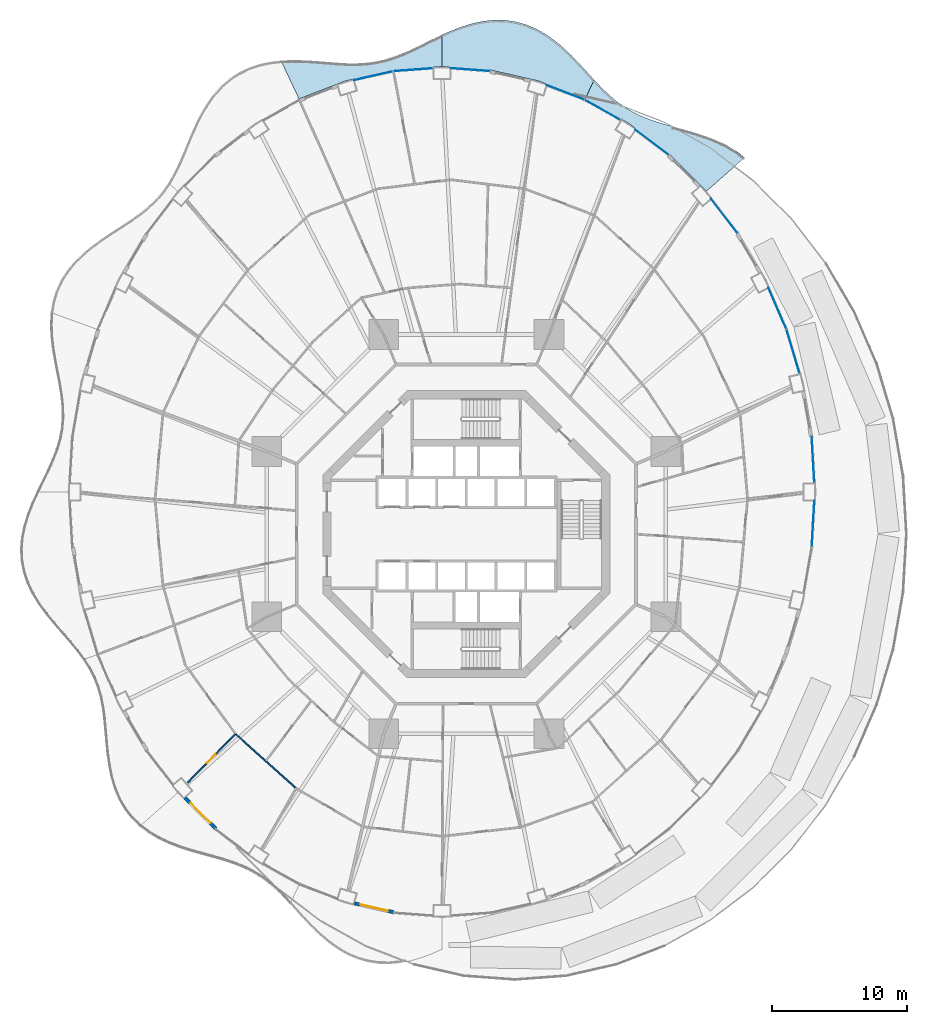
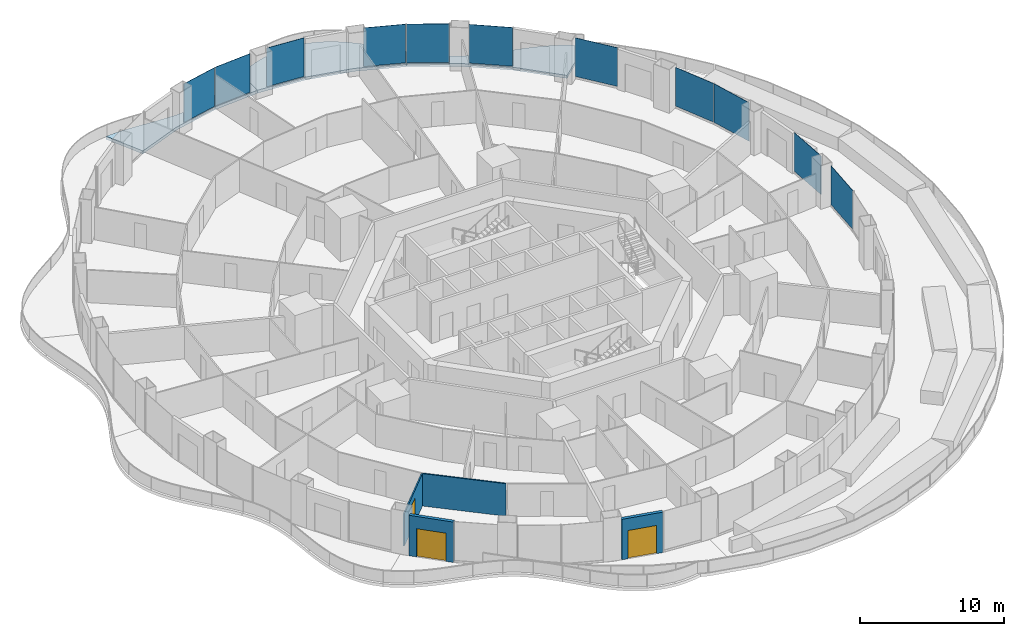
# One storey, part 13 of 22: 11 plates, 4 walls, 3 doors, 3 slabs, 3 openings, 11 elements without a shape of their own.
"""IFC4 building model written with IfcOpenShell, lengths in metres."""

from ifc_helpers import new_model, si_unit, direction, frame, frame_2d, origin, origin_2d, place, context, subcontext, project, spatial, polyline, rectangle, outline, extrude, material, layer, layer_set, type_object, element, fill, aggregate, save


model = new_model("IFC4")

# Units and contexts
model_context = context("Model", 3, precision=1e-05, world=origin(), true_north=direction((0.0, 1.0)))
body_context = subcontext(model_context, "Body", "Model", "MODEL_VIEW")
ifc_project = project(units=[si_unit("LENGTHUNIT", "METRE"), si_unit("AREAUNIT", "SQUARE_METRE"), si_unit("VOLUMEUNIT", "CUBIC_METRE"), si_unit("PLANEANGLEUNIT", "RADIAN"), si_unit("MASSUNIT", "GRAM", prefix="KILO")], contexts=[model_context])

# Site, building, storey
site_placement = place(None, origin())
site = spatial("IfcSite", under=ifc_project, at=site_placement, CompositionType="ELEMENT")
building_placement = place(site_placement, origin())
building = spatial("IfcBuilding", under=site, at=building_placement, Name="Nagisa Residences", CompositionType="ELEMENT")
storey_placement = place(building_placement, frame((0.0, 0.0, 73.300048828125)))
storey = spatial("IfcBuildingStorey", under=building, at=storey_placement, Name="L17", CompositionType="ELEMENT", Elevation=73.300048828125)

# Slabs
ifc_material_1 = material(Name="Concrete C40/50", Category="concrete")
ifc_layer_1 = layer(ifc_material_1, 0.25)
ifc_layer_set_1 = layer_set([ifc_layer_1], Name="BALCONY SLAB 250")
slab_type = type_object("IfcSlabType", Name="BALCONY SLAB 250", PredefinedType="FLOOR", material=ifc_layer_set_1)
slab_1_placement = place(storey_placement, frame((0.0, 0.0, -0.25)))
element("IfcSlab", 1, at=slab_1_placement, inside=storey, type_object=slab_type, Name="slab:L17:bal02", PredefinedType="FLOOR", context=body_context, shape_type="SweptSolid", body=[
    extrude(outline(polyline([(20.617431640625, 27.892822265625), (19.96923828125, 28.383544921875), (19.259033203125, 28.806396484375), (18.50048828125, 29.165771484375), (17.708251953125, 29.470703125), (16.89794921875, 29.732666015625), (16.084716796875, 29.965576171875), (15.282470703125, 30.185302734375), (14.503173828125, 30.407958984375), (13.755859375, 30.649169921875), (13.045654296875, 30.923095703125), (12.375, 31.241455078125), (11.742431640625, 31.61279296875), (11.143310546875, 32.041259765625), (10.570068359375, 32.526611328125), (10.013671875, 33.064208984375), (9.46337890625, 33.64453125), (8.79833984375, 32.233642578125), (12.047607421875, 30.410400390625), (15.0595703125, 28.1201171875), (17.783203125, 25.402099609375), (20.617431640625, 27.892822265625)])), origin(), (0.0, 0.0, 1.0), 0.25),
])
slab_2_placement = place(storey_placement, frame((0.0, 0.0, -0.25)))
element("IfcSlab", 2, at=slab_2_placement, inside=storey, type_object=slab_type, Name="slab:L17:bal03", PredefinedType="FLOOR", context=body_context, shape_type="SweptSolid", body=[
    extrude(outline(polyline([(9.46337890625, 33.64453125), (8.928466796875, 34.231689453125), (8.3798828125, 34.83154296875), (7.80908203125, 35.4267578125), (7.209716796875, 35.999267578125), (6.577392578125, 36.531005859375), (5.909912109375, 37.004638671875), (5.207763671875, 37.404541015625), (4.473388671875, 37.71875), (3.7119140625, 37.93798828125), (2.92919921875, 38.057861328125), (2.133056640625, 38.078369140625), (1.330810546875, 38.003662109375), (0.5302734375, 37.8427734375), (-0.26171875, 37.608154296875), (-1.03955078125, 37.3154296875), (-1.800048828125, 36.982666015625), (-1.800048828125, 34.6328125), (1.81494140625, 34.363037109375), (5.367919921875, 33.558837890625), (8.79833984375, 32.233642578125), (9.46337890625, 33.64453125)])), origin(), (0.0, 0.0, 1.0), 0.25),
])
slab_3_placement = place(storey_placement, frame((0.0, 0.0, -0.25)))
element("IfcSlab", 3, at=slab_3_placement, inside=storey, type_object=slab_type, Name="slab:L17:bal04", PredefinedType="FLOOR", context=body_context, shape_type="SweptSolid", body=[
    extrude(outline(polyline([(-1.800048828125, 36.982666015625), (-2.541015625, 36.62890625), (-3.26318359375, 36.272705078125), (-3.968994140625, 35.932861328125), (-4.662353515625, 35.62451171875), (-5.34912109375, 35.360595703125), (-6.035400390625, 35.150390625), (-6.72802734375, 34.99853515625), (-7.43310546875, 34.9052734375), (-8.156005859375, 34.86669921875), (-8.89990234375, 34.8740234375), (-9.66650390625, 34.91552734375), (-10.45556640625, 34.9765625), (-11.263427734375, 35.040283203125), (-12.0849609375, 35.08935546875), (-12.91259765625, 35.106201171875), (-13.7373046875, 35.074462890625), (-12.3984375, 32.233642578125), (-8.968017578125, 33.558837890625), (-5.4150390625, 34.363037109375), (-1.800048828125, 34.6328125), (-1.800048828125, 36.982666015625)])), origin(), (0.0, 0.0, 1.0), 0.25),
])

# Curtain wall, plate
ifc_material_2 = material(Name="Concrete-coloured aluminium curtain wall system", Category="concrete")
ifc_layer_2 = layer(ifc_material_2, 0.159912109375)
ifc_layer_set_2 = layer_set([ifc_layer_2], Name="CW1 CURTAIN WALL")
curtain_wall_type = type_object("IfcCurtainWallType", Name="CW1 CURTAIN WALL", PredefinedType="NOTDEFINED", material=ifc_layer_set_2)
curtain_wall_1_placement = place(storey_placement, origin())
curtain_wall_1 = element("IfcCurtainWall", 4, at=curtain_wall_1_placement, inside=storey, type_object=curtain_wall_type, Name="cw:CW1:L17:00", PredefinedType="NOTDEFINED")
ifc_material_3 = material(Name="Clear laminated glass", Category="glass")
ifc_layer_3 = layer(ifc_material_3, 0.028076171875)
ifc_layer_set_3 = layer_set([ifc_layer_3], Name="CW1 GLASS PANEL")
plate_type = type_object("IfcPlateType", Name="CW1 GLASS PANEL", PredefinedType="CURTAIN_PANEL", material=ifc_layer_set_3)
plate_1_placement = place(storey_placement, frame((25.67626953125, 5.524169921875, 0.14990234375), z_axis=(0.0, 0.0, 1.0), x_axis=(-0.057503492216, 0.998345305184, 0.0)))
plate_1 = element("IfcPlate", 5, at=plate_1_placement, type_object=plate_type, Name="CW1 panel", PredefinedType="CURTAIN_PANEL", context=body_context, shape_type="SweptSolid", body=[
    extrude(rectangle(XDim=3.410400390625, YDim=0.028076171875, at=origin_2d()), origin(), (0.0, 0.0, 1.0), 3.2900390625),
])
aggregate(curtain_wall_1, [plate_1])

curtain_wall_2_placement = place(storey_placement, origin())
curtain_wall_2 = element("IfcCurtainWall", 6, at=curtain_wall_2_placement, inside=storey, type_object=curtain_wall_type, Name="cw:CW1:L17:02", PredefinedType="NOTDEFINED")
plate_2_placement = place(storey_placement, frame((24.19091796875, 13.54345703125, 0.14990234375), z_axis=(0.0, 0.0, 1.0), x_axis=(-0.285860274038, 0.958271310082, 0.0)))
plate_2 = element("IfcPlate", 7, at=plate_2_placement, type_object=plate_type, Name="CW1 panel", PredefinedType="CURTAIN_PANEL", context=body_context, shape_type="SweptSolid", body=[
    extrude(rectangle(XDim=3.363525390625, YDim=0.028076171875, at=origin_2d()), origin(), (0.0, 0.0, 1.0), 3.2900390625),
])
aggregate(curtain_wall_2, [plate_2])

curtain_wall_3_placement = place(storey_placement, origin())
curtain_wall_3 = element("IfcCurtainWall", 8, at=curtain_wall_3_placement, inside=storey, type_object=curtain_wall_type, Name="cw:CW1:L17:03", PredefinedType="NOTDEFINED")
plate_3_placement = place(storey_placement, frame((23.029541015625, 16.72412109375, 0.14990234375), z_axis=(0.0, 0.0, 1.0), x_axis=(-0.397635934147, 0.917543276295, 0.0)))
plate_3 = element("IfcPlate", 9, at=plate_3_placement, type_object=plate_type, Name="CW1 panel", PredefinedType="CURTAIN_PANEL", context=body_context, shape_type="SweptSolid", body=[
    extrude(rectangle(XDim=3.319580078125, YDim=0.028076171875, at=origin_2d()), origin(), (0.0, 0.0, 1.0), 3.2900390625),
])
aggregate(curtain_wall_3, [plate_3])

curtain_wall_4_placement = place(storey_placement, origin())
curtain_wall_4 = element("IfcCurtainWall", 10, at=curtain_wall_4_placement, inside=storey, type_object=curtain_wall_type, Name="cw:CW1:L17:05", PredefinedType="NOTDEFINED")
plate_4_placement = place(storey_placement, frame((19.09423828125, 23.570068359375, 0.14990234375), z_axis=(0.0, 0.0, 1.0), x_axis=(-0.610429828235, 0.792070340816, 0.0)))
plate_4 = element("IfcPlate", 11, at=plate_4_placement, type_object=plate_type, Name="CW1 panel", PredefinedType="CURTAIN_PANEL", context=body_context, shape_type="SweptSolid", body=[
    extrude(rectangle(XDim=3.202880859375, YDim=0.028076171875, at=origin_2d()), origin(), (0.0, 0.0, 1.0), 3.2900390625),
])
aggregate(curtain_wall_4, [plate_4])

curtain_wall_5_placement = place(storey_placement, origin())
curtain_wall_5 = element("IfcCurtainWall", 12, at=curtain_wall_5_placement, inside=storey, type_object=curtain_wall_type, Name="cw:CW1:L17:07", PredefinedType="NOTDEFINED")
plate_5_placement = place(storey_placement, frame((13.739990234375, 29.023193359375, 0.14990234375), z_axis=(0.0, 0.0, 1.0), x_axis=(-0.79603132756, 0.605255421737, 0.0)))
plate_5 = element("IfcPlate", 13, at=plate_5_placement, type_object=plate_type, Name="CW1 panel", PredefinedType="CURTAIN_PANEL", context=body_context, shape_type="SweptSolid", body=[
    extrude(rectangle(XDim=3.073974609375, YDim=0.028076171875, at=origin_2d()), origin(), (0.0, 0.0, 1.0), 3.2900390625),
])
aggregate(curtain_wall_5, [plate_5])

curtain_wall_6_placement = place(storey_placement, origin())
curtain_wall_6 = element("IfcCurtainWall", 14, at=curtain_wall_6_placement, inside=storey, type_object=curtain_wall_type, Name="cw:CW1:L17:08", PredefinedType="NOTDEFINED")
plate_6_placement = place(storey_placement, frame((10.07421875, 31.426025390625, 0.14990234375), z_axis=(0.0, 0.0, 1.0), x_axis=(-0.872072377523, 0.489376918501, 0.0)))
plate_6 = element("IfcPlate", 15, at=plate_6_placement, type_object=plate_type, Name="CW1 panel", PredefinedType="CURTAIN_PANEL", context=body_context, shape_type="SweptSolid", body=[
    extrude(rectangle(XDim=3.015625, YDim=0.028076171875, at=origin_2d()), origin(), (0.0, 0.0, 1.0), 3.2900390625),
])
aggregate(curtain_wall_6, [plate_6])

curtain_wall_7_placement = place(storey_placement, origin())
curtain_wall_7 = element("IfcCurtainWall", 16, at=curtain_wall_7_placement, inside=storey, type_object=curtain_wall_type, Name="cw:CW1:L17:09", PredefinedType="NOTDEFINED")
plate_7_placement = place(storey_placement, frame((7.32958984375, 32.71533203125, 0.14990234375), z_axis=(0.0, 0.0, 1.0), x_axis=(-0.932825759707, 0.360327770268, 0.0)))
plate_7 = element("IfcPlate", 17, at=plate_7_placement, type_object=plate_type, Name="CW1 panel", PredefinedType="CURTAIN_PANEL", context=body_context, shape_type="SweptSolid", body=[
    extrude(rectangle(XDim=2.967529296875, YDim=0.028076171875, at=origin_2d()), origin(), (0.0, 0.0, 1.0), 3.2900390625),
])
aggregate(curtain_wall_7, [plate_7])

curtain_wall_8_placement = place(storey_placement, origin())
curtain_wall_8 = element("IfcCurtainWall", 18, at=curtain_wall_8_placement, inside=storey, type_object=curtain_wall_type, Name="cw:CW1:L17:11", PredefinedType="NOTDEFINED")
plate_8_placement = place(storey_placement, frame((0.295654296875, 34.396240234375, 0.14990234375), z_axis=(0.0, 0.0, 1.0), x_axis=(-0.997230168512, 0.074377355493, 0.0)))
plate_8 = element("IfcPlate", 19, at=plate_8_placement, type_object=plate_type, Name="CW1 panel", PredefinedType="CURTAIN_PANEL", context=body_context, shape_type="SweptSolid", body=[
    extrude(rectangle(XDim=2.9150390625, YDim=0.028076171875, at=origin_2d()), origin(), (0.0, 0.0, 1.0), 3.2900390625),
])
aggregate(curtain_wall_8, [plate_8])

curtain_wall_9_placement = place(storey_placement, origin())
curtain_wall_9 = element("IfcCurtainWall", 20, at=curtain_wall_9_placement, inside=storey, type_object=curtain_wall_type, Name="cw:CW1:L17:12", PredefinedType="NOTDEFINED")
plate_9_placement = place(storey_placement, frame((-3.95556640625, 34.3916015625, 0.14990234375), z_axis=(0.0, 0.0, 1.0), x_axis=(-0.997230168512, -0.074377355493, 0.0)))
plate_9 = element("IfcPlate", 21, at=plate_9_placement, type_object=plate_type, Name="CW1 panel", PredefinedType="CURTAIN_PANEL", context=body_context, shape_type="SweptSolid", body=[
    extrude(rectangle(XDim=2.9150390625, YDim=0.028076171875, at=origin_2d()), origin(), (0.0, 0.0, 1.0), 3.2900390625),
])
aggregate(curtain_wall_9, [plate_9])

curtain_wall_10_placement = place(storey_placement, origin())
curtain_wall_10 = element("IfcCurtainWall", 22, at=curtain_wall_10_placement, inside=storey, type_object=curtain_wall_type, Name="cw:CW1:L17:13", PredefinedType="NOTDEFINED")
plate_10_placement = place(storey_placement, frame((-6.885986328125, 33.947998046875, 0.14990234375), z_axis=(0.0, 0.0, 1.0), x_axis=(-0.975327274089, -0.2207639201, 0.0)))
plate_10 = element("IfcPlate", 23, at=plate_10_placement, type_object=plate_type, Name="CW1 panel", PredefinedType="CURTAIN_PANEL", context=body_context, shape_type="SweptSolid", body=[
    extrude(rectangle(XDim=2.932861328125, YDim=0.028076171875, at=origin_2d()), origin(), (0.0, 0.0, 1.0), 3.2900390625),
])
aggregate(curtain_wall_10, [plate_10])

curtain_wall_11_placement = place(storey_placement, origin())
curtain_wall_11 = element("IfcCurtainWall", 24, at=curtain_wall_11_placement, inside=storey, type_object=curtain_wall_type, Name="cw:CW1:L17:47", PredefinedType="NOTDEFINED")
plate_11_placement = place(storey_placement, frame((25.6796875, 0.77099609375, 0.14990234375), z_axis=(0.0, 0.0, 1.0), x_axis=(0.057503492216, 0.998345305184, 0.0)))
plate_11 = element("IfcPlate", 25, at=plate_11_placement, type_object=plate_type, Name="CW1 panel", PredefinedType="CURTAIN_PANEL", context=body_context, shape_type="SweptSolid", body=[
    extrude(rectangle(XDim=3.410400390625, YDim=0.028076171875, at=origin_2d()), origin(), (0.0, 0.0, 1.0), 3.2900390625),
])
aggregate(curtain_wall_11, [plate_11])

# Wall, opening, door
ifc_material_4 = material(Name="Gypsum board on steel studs", Category="steel")
ifc_layer_4 = layer(ifc_material_4, 0.10009765625)
ifc_layer_set_4 = layer_set([ifc_layer_4], Name="Apartment partition 100")
wall_type_1 = type_object("IfcWallType", Name="Apartment partition 100", PredefinedType="PARTITIONING", material=ifc_layer_set_4)
wall_1_placement = place(storey_placement, frame((-17.135009765625, -14.8291015625, 0.0), z_axis=(0.0, 0.0, 1.0), x_axis=(-0.699702869429, -0.714433967917, 0.0)))
wall_1 = element("IfcWall", 26, at=wall_1_placement, inside=storey, type_object=wall_type_1, Name="wall:L17:u66", PredefinedType="PARTITIONING", context=body_context, shape_type="SweptSolid", body=[
    extrude(rectangle(XDim=5.021728515625, YDim=0.10009765625, at=frame_2d((2.5107421875, 0.0))), origin(), (0.0, 0.0, 1.0), 2.761962890625),
])
opening_1_placement = place(wall_1_placement, frame((2.060791015625, 0.0, 0.0)))
opening_1 = element("IfcOpeningElement", 27, at=opening_1_placement, cuts=wall_1, Name="Opening L17-U30", PredefinedType="OPENING", context=body_context, shape_type="SweptSolid", body=[
    extrude(rectangle(XDim=0.89990234375, YDim=2.10009765625, at=frame_2d((0.449951171875, 1.050048828125))), frame((0.0, 0.06005859375, 0.0), z_axis=(0.0, -1.0, 0.0), x_axis=(1.0, 0.0, 0.0)), (0.0, 0.0, 1.0), 0.1201171875),
])
ifc_material_5 = material(Name="Timber door set", Category="wood")
door_type_1 = type_object("IfcDoorType", Name="Apartment door 900x2100", OperationType="NOTDEFINED", PredefinedType="DOOR", material=ifc_material_5)
door_1_placement = place(opening_1_placement, origin())
door_1 = element("IfcDoor", 28, at=door_1_placement, inside=storey, type_object=door_type_1, Name="Door to master bedroom, Apartment 17B", OperationType="SINGLE_SWING_RIGHT", OverallHeight=2.10009765625, OverallWidth=0.89990234375, PredefinedType="DOOR", context=body_context, shape_type="SweptSolid", body=[
    extrude(rectangle(XDim=0.89990234375, YDim=2.10009765625, at=frame_2d((0.449951171875, 1.050048828125))), frame((0.0, 0.02490234375, 0.0), z_axis=(0.0, -1.0, 0.0), x_axis=(1.0, 0.0, 0.0)), (0.0, 0.0, 1.0), 0.050048828125),
])
fill(opening_1, door_1)

# Wall
wall_2_placement = place(storey_placement, frame((-17.062744140625, -14.826904296875, 0.0), z_axis=(0.0, 0.0, 1.0), x_axis=(0.743478142868, -0.668760234373, 0.0)))
element("IfcWall", 29, at=wall_2_placement, inside=storey, type_object=wall_type_1, Name="wall:L17:u67", PredefinedType="PARTITIONING", context=body_context, shape_type="SweptSolid", body=[
    extrude(rectangle(XDim=5.93701171875, YDim=0.10009765625, at=frame_2d((2.968505859375, 0.0))), origin(), (0.0, 0.0, 1.0), 2.761962890625),
])

# Wall, opening, door
ifc_material_6 = material(Name="Precast concrete C40/50", Category="concrete")
ifc_layer_5 = layer(ifc_material_6, 0.25)
ifc_layer_set_5 = layer_set([ifc_layer_5], Name="BALCONY DOOR WALL 250")
wall_type_2 = type_object("IfcWallType", Name="BALCONY DOOR WALL 250", PredefinedType="SOLIDWALL", material=ifc_layer_set_5)
wall_3_placement = place(storey_placement, frame((-18.5712890625, -21.79638671875, 0.0), z_axis=(0.0, 0.0, 1.0), x_axis=(-0.707831646613, 0.706381171927, 0.0)))
wall_3 = element("IfcWall", 30, at=wall_3_placement, inside=storey, type_object=wall_type_2, Name="wall:L17:bay30", PredefinedType="SOLIDWALL", context=body_context, shape_type="SweptSolid", body=[
    extrude(rectangle(XDim=3.197998046875, YDim=0.25, at=frame_2d((1.59912109375, 0.0))), origin(), (0.0, 0.0, 1.0), 3.43994140625),
])
opening_2_placement = place(wall_3_placement, frame((0.548828125, 0.0, 0.0)))
opening_2 = element("IfcOpeningElement", 31, at=opening_2_placement, cuts=wall_3, Name="Opening BD-L17-11", PredefinedType="OPENING", context=body_context, shape_type="SweptSolid", body=[
    extrude(rectangle(XDim=2.10009765625, YDim=2.39990234375, at=frame_2d((1.050048828125, 1.199951171875))), frame((0.0, 0.135009765625, 0.0), z_axis=(0.0, -1.0, 0.0), x_axis=(1.0, 0.0, 0.0)), (0.0, 0.0, 1.0), 0.27001953125),
])
ifc_material_7 = material(Name="Aluminium and clear glass", Category="aluminium")
door_type_2 = type_object("IfcDoorType", Name="BALCONY SLIDING DOOR 2100x2400", OperationType="SLIDING_TO_LEFT", PredefinedType="DOOR", material=ifc_material_7)
door_2_placement = place(opening_2_placement, origin())
door_2 = element("IfcDoor", 32, at=door_2_placement, inside=storey, type_object=door_type_2, Name="door:L17:bay30", OperationType="SLIDING_TO_LEFT", OverallHeight=2.39990234375, OverallWidth=2.10009765625, PredefinedType="DOOR", context=body_context, shape_type="SweptSolid", body=[
    extrude(rectangle(XDim=2.10009765625, YDim=2.39990234375, at=frame_2d((1.050048828125, 1.199951171875))), frame((0.0, 0.02490234375, 0.0), z_axis=(0.0, -1.0, 0.0), x_axis=(1.0, 0.0, 0.0)), (0.0, 0.0, 1.0), 0.050048828125),
])
fill(opening_2, door_2)

wall_4_placement = place(storey_placement, frame((-5.38720703125, -28.005859375, 0.0), z_axis=(0.0, 0.0, 1.0), x_axis=(-0.975317607872, 0.220806620767, 0.0)))
wall_4 = element("IfcWall", 33, at=wall_4_placement, inside=storey, type_object=wall_type_2, Name="wall:L17:bay34", PredefinedType="SOLIDWALL", context=body_context, shape_type="SweptSolid", body=[
    extrude(rectangle(XDim=2.9931640625, YDim=0.25, at=frame_2d((1.49658203125, 0.0))), origin(), (0.0, 0.0, 1.0), 3.43994140625),
])
opening_3_placement = place(wall_4_placement, frame((0.446533203125, 0.0, 0.0)))
opening_3 = element("IfcOpeningElement", 34, at=opening_3_placement, cuts=wall_4, Name="Opening BD-L17-12", PredefinedType="OPENING", context=body_context, shape_type="SweptSolid", body=[
    extrude(rectangle(XDim=2.10009765625, YDim=2.39990234375, at=frame_2d((1.050048828125, 1.199951171875))), frame((0.0, 0.135009765625, 0.0), z_axis=(0.0, -1.0, 0.0), x_axis=(1.0, 0.0, 0.0)), (0.0, 0.0, 1.0), 0.27001953125),
])
door_3_placement = place(opening_3_placement, origin())
door_3 = element("IfcDoor", 35, at=door_3_placement, inside=storey, type_object=door_type_2, Name="door:L17:bay34", OperationType="SLIDING_TO_LEFT", OverallHeight=2.39990234375, OverallWidth=2.10009765625, PredefinedType="DOOR", context=body_context, shape_type="SweptSolid", body=[
    extrude(rectangle(XDim=2.10009765625, YDim=2.39990234375, at=frame_2d((1.050048828125, 1.199951171875))), frame((0.0, 0.02490234375, 0.0), z_axis=(0.0, -1.0, 0.0), x_axis=(1.0, 0.0, 0.0)), (0.0, 0.0, 1.0), 0.050048828125),
])
fill(opening_3, door_3)

save(model, "model.ifc")
